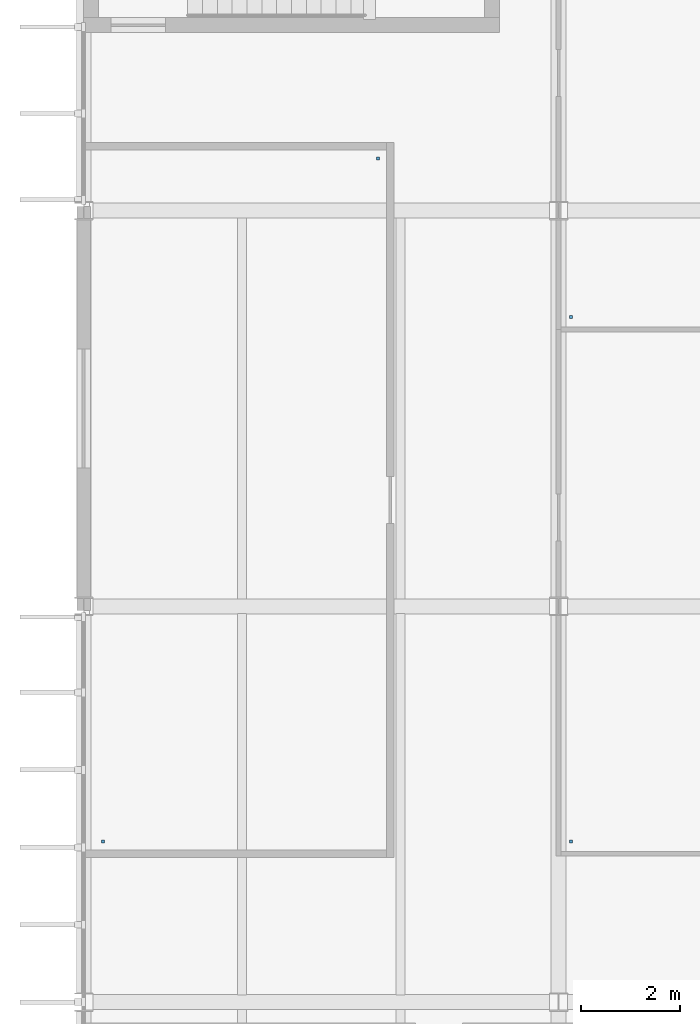
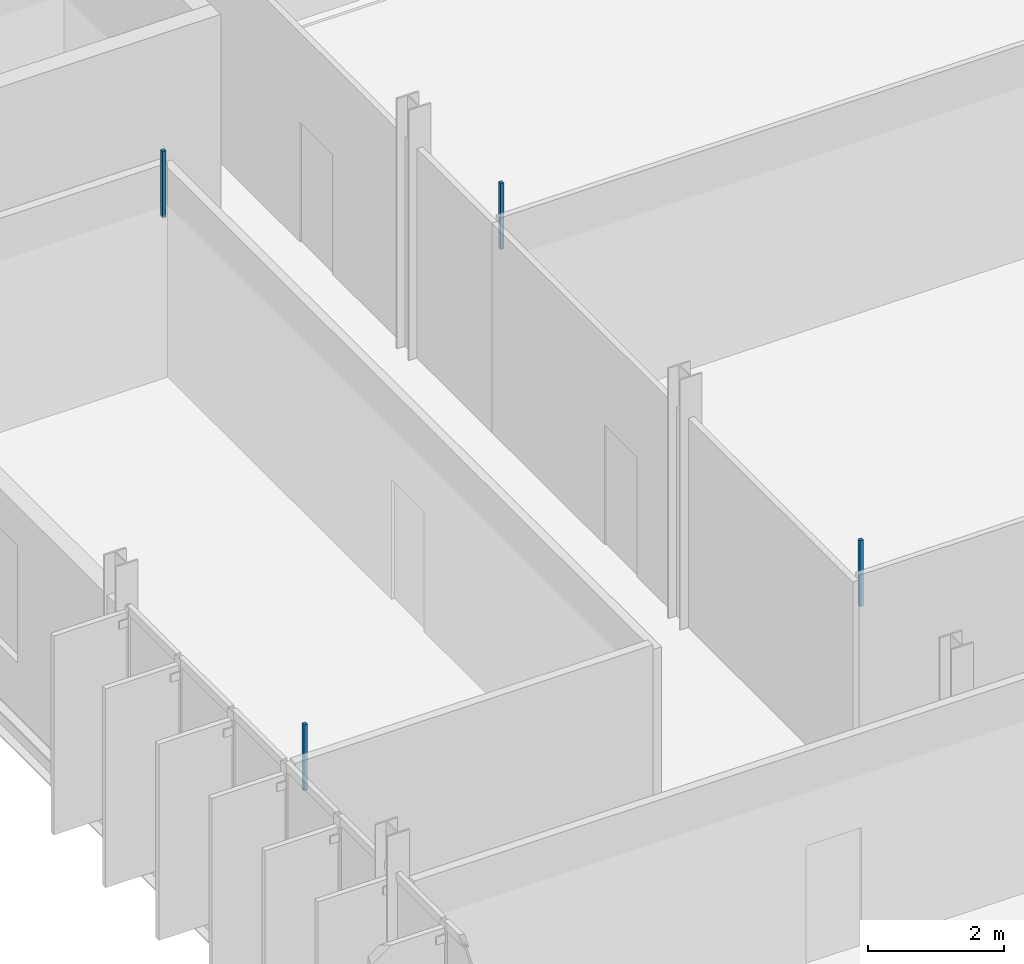
# One storey, part 70 of 107: 4 discrete accessories.
"""IFC4 building model written with IfcOpenShell, lengths in metres."""

from ifc_helpers import new_model, si_unit, direction, frame, origin, place, context, subcontext, project, spatial, polyline, outline, extrude, material, type_object, element, save


model = new_model("IFC4")

# Units and contexts
model_context = context("Model", 3, precision=1e-05, world=origin(), true_north=direction((0.0, 1.0)))
body_context = subcontext(model_context, "Body", "Model", "MODEL_VIEW")
ifc_project = project(units=[si_unit("LENGTHUNIT", "METRE"), si_unit("AREAUNIT", "SQUARE_METRE"), si_unit("VOLUMEUNIT", "CUBIC_METRE"), si_unit("PLANEANGLEUNIT", "RADIAN"), si_unit("MASSUNIT", "GRAM", prefix="KILO")], contexts=[model_context])

# Site, building, storey
site_placement = place(None, origin())
site = spatial("IfcSite", under=ifc_project, at=site_placement, CompositionType="ELEMENT")
building_placement = place(site_placement, origin())
building = spatial("IfcBuilding", under=site, at=building_placement, Name="Dunescarp Central Library", CompositionType="ELEMENT")
storey_placement = place(building_placement, frame((0.0, 0.0, 5.10009765625)))
storey = spatial("IfcBuildingStorey", under=building, at=storey_placement, Name="L01", CompositionType="ELEMENT", Elevation=5.10009765625)

# Discrete accessories
ifc_material = material(Name="Stainless steel Grade 316L", Category="steel")
discrete_accessory_type = type_object("IfcDiscreteAccessoryType", Name="ARC-ACC-BRK", PredefinedType="BRACKET", material=ifc_material)
discrete_accessory_1_placement = place(storey_placement, frame((0.0, 0.0, 3.059814453125)))
element("IfcDiscreteAccessory", 1, at=discrete_accessory_1_placement, inside=storey, type_object=discrete_accessory_type, Name="L01 ceiling hanger CLG-L01-011-H1", PredefinedType="BRACKET", context=body_context, shape_type="SweptSolid", body=[
    extrude(outline(polyline([(0.360107421875, 16.02001953125), (0.419921875, 16.02001953125), (0.419921875, 16.080078125), (0.360107421875, 16.080078125), (0.360107421875, 16.02001953125)])), origin(), (0.0, 0.0, 1.0), 1.190185546875),
])
discrete_accessory_2_placement = place(storey_placement, frame((0.0, 0.0, 3.059814453125)))
element("IfcDiscreteAccessory", 2, at=discrete_accessory_2_placement, inside=storey, type_object=discrete_accessory_type, Name="L01 ceiling hanger CLG-L01-011-H2", PredefinedType="BRACKET", context=body_context, shape_type="SweptSolid", body=[
    extrude(outline(polyline([(5.919921875, 29.820068359375), (5.97998046875, 29.820068359375), (5.97998046875, 29.8798828125), (5.919921875, 29.8798828125), (5.919921875, 29.820068359375)])), origin(), (0.0, 0.0, 1.0), 1.190185546875),
])
discrete_accessory_3_placement = place(storey_placement, frame((0.0, 0.0, 3.059814453125)))
element("IfcDiscreteAccessory", 3, at=discrete_accessory_3_placement, inside=storey, type_object=discrete_accessory_type, Name="L01 ceiling hanger CLG-L01-012-H1", PredefinedType="BRACKET", context=body_context, shape_type="SweptSolid", body=[
    extrude(outline(polyline([(9.820068359375, 16.02001953125), (9.8798828125, 16.02001953125), (9.8798828125, 16.080078125), (9.820068359375, 16.080078125), (9.820068359375, 16.02001953125)])), origin(), (0.0, 0.0, 1.0), 1.190185546875),
])
discrete_accessory_4_placement = place(storey_placement, frame((0.0, 0.0, 3.059814453125)))
element("IfcDiscreteAccessory", 4, at=discrete_accessory_4_placement, inside=storey, type_object=discrete_accessory_type, Name="L01 ceiling hanger CLG-L01-013-H1", PredefinedType="BRACKET", context=body_context, shape_type="SweptSolid", body=[
    extrude(outline(polyline([(9.820068359375, 26.6201171875), (9.8798828125, 26.6201171875), (9.8798828125, 26.679931640625), (9.820068359375, 26.679931640625), (9.820068359375, 26.6201171875)])), origin(), (0.0, 0.0, 1.0), 1.190185546875),
])

save(model, "model.ifc")
